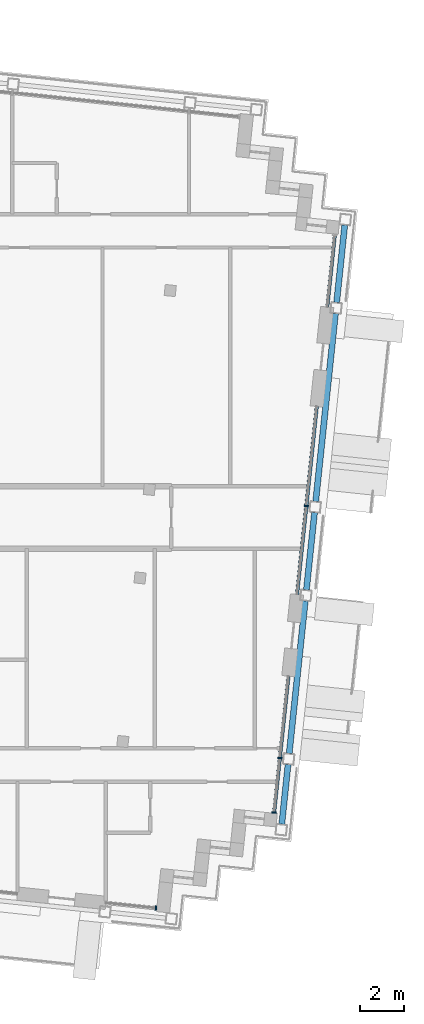
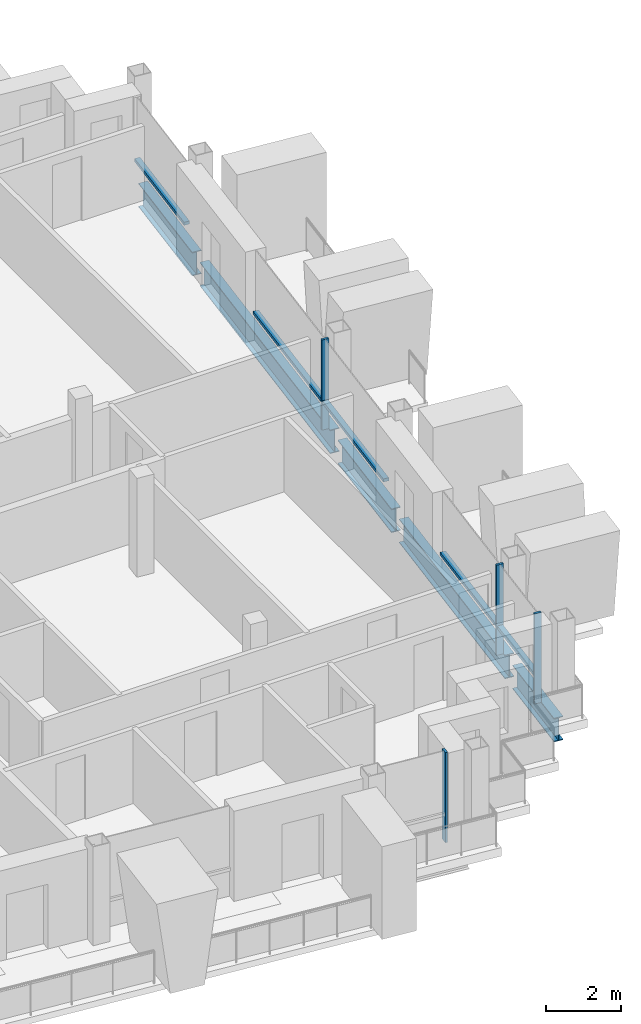
# One storey, part 4 of 17: 9 members, 5 beams, 4 elements without a shape of their own.
"""IFC4 building model written with IfcOpenShell, lengths in metres."""

import ifcopenshell
import ifcopenshell.guid

model = None  # the IFC model being written
_history = None  # IfcOwnerHistory: only IFC2X3 demands one
_inside = {}  # id of a spatial element -> (the spatial element, [elements in it])
_under = {}  # id of a project, library or spatial element -> (it, [spatial elements below it])
_declared = {}  # id of a project -> (the project, [libraries it declares])
_typed = {}  # id of a type object -> (the type object, [elements of that type])
_made_of = {}  # id of a material, layer set ... -> (it, [elements and type objects made of it])


def new_model(schema):
    """Start an empty IFC model of exactly this schema.

    Asked for "IFC4X3", IfcOpenShell would pick the latest addendum, in which some entities
    have other attributes; the version numbers below select the first issue.
    IFC2X3 requires an IfcOwnerHistory on every rooted entity: one is made here for all.
    """
    global model, _history
    if schema == "IFC4X3":
        model = ifcopenshell.file(schema_version=(4, 3, 0, 0))
    else:
        model = ifcopenshell.file(schema=schema)
    _inside.clear()
    _under.clear()
    _declared.clear()
    _typed.clear()
    _made_of.clear()
    _history = None
    if model.schema == "IFC2X3":
        org = make("IfcOrganization", Name="unknown")
        user = make(
            "IfcPersonAndOrganization",
            ThePerson=make("IfcPerson", FamilyName="unknown"),
            TheOrganization=org,
        )
        app = make(
            "IfcApplication",
            ApplicationDeveloper=org,
            Version="unknown",
            ApplicationFullName="unknown",
            ApplicationIdentifier="unknown",
        )
        _history = make(
            "IfcOwnerHistory",
            OwningUser=user,
            OwningApplication=app,
            ChangeAction="ADDED",
            CreationDate=0,
        )
    return model


def make(cls, **values):
    """One entity of the class cls with the attributes given. An attribute that is None is left unset."""
    return model.create_entity(
        cls, **{name: value for name, value in values.items() if value is not None}
    )


def rooted(cls, **values):
    """An entity with a GlobalId (a new one), such as an element, a storey or a relation."""
    return make(cls, GlobalId=ifcopenshell.guid.new(), OwnerHistory=_history, **values)


def si_unit(unit_type, name, prefix=None):
    """IfcSIUnit, for example si_unit("LENGTHUNIT", "METRE", prefix="MILLI")."""
    return make("IfcSIUnit", UnitType=unit_type, Prefix=prefix, Name=name)


def assignment(units):
    """IfcUnitAssignment: the units of a project."""
    return None if units is None else make("IfcUnitAssignment", Units=units)


def point(xyz):
    """IfcCartesianPoint."""
    return None if xyz is None else make("IfcCartesianPoint", Coordinates=xyz)


def direction(xyz):
    """IfcDirection."""
    return None if xyz is None else make("IfcDirection", DirectionRatios=xyz)


def frame(location, z_axis=None, x_axis=None):
    """IfcAxis2Placement3D, a coordinate frame: its origin and axes. An axis left out is left unset."""
    return make(
        "IfcAxis2Placement3D",
        Location=point(location),
        Axis=direction(z_axis),
        RefDirection=direction(x_axis),
    )


def frame_2d(location, x_axis=None):
    """IfcAxis2Placement2D, a coordinate frame in the plane: its origin and x axis."""
    return make(
        "IfcAxis2Placement2D", Location=point(location), RefDirection=direction(x_axis)
    )


def origin():
    """The frame at (0, 0, 0) with its axes left unset."""
    return frame((0.0, 0.0, 0.0))


def origin_2d():
    """The frame at (0, 0) in the plane with its x axis left unset."""
    return frame_2d((0.0, 0.0))


def place(relative_to, where):
    """IfcLocalPlacement: puts the frame where relative to a parent placement (None: the world)."""
    return make(
        "IfcLocalPlacement", PlacementRelTo=relative_to, RelativePlacement=where
    )


def context(
    kind, dimensions, precision=None, world=None, true_north=None, identifier=None
):
    """IfcGeometricRepresentationContext, for example the 3D "Model" context."""
    return make(
        "IfcGeometricRepresentationContext",
        ContextIdentifier=identifier,
        ContextType=kind,
        CoordinateSpaceDimension=dimensions,
        Precision=precision,
        WorldCoordinateSystem=world,
        TrueNorth=true_north,
    )


def subcontext(parent, identifier, kind, view, scale=None):
    """IfcGeometricRepresentationSubContext, for example "Body" below "Model"."""
    return make(
        "IfcGeometricRepresentationSubContext",
        ContextIdentifier=identifier,
        ContextType=kind,
        ParentContext=parent,
        TargetScale=scale,
        TargetView=view,
    )


def project(units=None, contexts=None):
    """IfcProject with its units and contexts."""
    return rooted(
        "IfcProject",
        Name="project",
        RepresentationContexts=contexts,
        UnitsInContext=assignment(units),
    )


def spatial(cls, under=None, at=None, **own):
    """A site, building, storey or space (cls), placed at a placement, below another one or the project."""
    s = rooted(cls, ObjectPlacement=at, **own)
    if under is not None:
        _under.setdefault(under.id(), (under, []))[1].append(s)
    return s


def profile(cls, at=None, kind="AREA", **sizes):
    """A parametric profile (cls). Its sizes go by their IFC names, for example OverallWidth=200.0."""
    return make(cls, ProfileType=kind, Position=at, **sizes)


def rectangle(**sizes):
    """IfcRectangleProfileDef."""
    return profile("IfcRectangleProfileDef", **sizes)


def i_section(**sizes):
    """IfcIShapeProfileDef."""
    return profile("IfcIShapeProfileDef", **sizes)


def extrude(swept, where, along, depth):
    """IfcExtrudedAreaSolid: the profile swept, set in the frame where, extruded along a direction by depth."""
    return make(
        "IfcExtrudedAreaSolid",
        SweptArea=swept,
        Position=where,
        ExtrudedDirection=direction(along),
        Depth=depth,
    )


def shape(context_of_items, identifier, shape_type, items):
    """IfcShapeRepresentation: the items that make up one representation, for example the "Body"."""
    return make(
        "IfcShapeRepresentation",
        ContextOfItems=context_of_items,
        RepresentationIdentifier=identifier,
        RepresentationType=shape_type,
        Items=items,
    )


def material(Name=None, Category=None):
    """IfcMaterial."""
    return make("IfcMaterial", Name=Name, Category=Category)


def material_profile(
    of_material, cross_section, Name=None, Category=None, Priority=None
):
    """IfcMaterialProfile: a cross section and its material."""
    return make(
        "IfcMaterialProfile",
        Name=Name,
        Material=of_material,
        Profile=cross_section,
        Priority=Priority,
        Category=Category,
    )


def profile_set(profiles, Name=None, composite=None):
    """IfcMaterialProfileSet."""
    return make(
        "IfcMaterialProfileSet",
        Name=Name,
        MaterialProfiles=profiles,
        CompositeProfile=composite,
    )


def made_of(thing, what):
    """Note that an element or type object is made of a material, layer set ...; save() writes the relation."""
    if what is not None:
        _made_of.setdefault(what.id(), (what, []))[1].append(thing)
    return thing


def type_object(cls, material=None, **own):
    """A type object (cls), such as IfcWallType, which elements share."""
    return made_of(rooted(cls, **own), material)


def element(
    cls,
    number,
    at=None,
    inside=None,
    cuts=None,
    type_object=None,
    material=None,
    context=None,
    identifier="Body",
    shape_type=None,
    held_by="IfcProductDefinitionShape",
    body=None,
    shapes=None,
    **own,
):
    """One element of the class cls, such as IfcWall. Its Tag is "e" and its number.

    at: its placement. inside: the storey or other place that contains it. cuts: it is an
    opening in that element (IfcRelVoidsElement). A single representation is given by context,
    identifier, shape_type and body (its items); several are given by shapes. held_by: the class
    of the entity that holds the representations. save() writes the other relations.
    """
    e = rooted(cls, Tag="e%d" % number, ObjectPlacement=at, **own)
    if body is not None:
        shapes = [shape(context, identifier, shape_type, body)]
    if shapes is not None:
        e.Representation = make(held_by, Representations=shapes)
    if inside is not None:
        _inside.setdefault(inside.id(), (inside, []))[1].append(e)
    if cuts is not None:
        rooted(
            "IfcRelVoidsElement", RelatingBuildingElement=cuts, RelatedOpeningElement=e
        )
    if type_object is not None:
        _typed.setdefault(type_object.id(), (type_object, []))[1].append(e)
    return made_of(e, material)


def aggregate(whole, parts):
    """IfcRelAggregates: a whole, such as a stair, and the parts it consists of."""
    return rooted("IfcRelAggregates", RelatingObject=whole, RelatedObjects=parts)


def save(model, path):
    """Write the relations noted so far, then the file.

    IfcRelAggregates (storeys below a building ...), IfcRelContainedInSpatialStructure (elements
    in a storey), IfcRelDefinesByType, IfcRelAssociatesMaterial and IfcRelDeclares: one each for
    every whole, place, type object, material and project.
    """
    for whole, parts in _under.values():
        aggregate(whole, parts)
    for where, things in _inside.values():
        rooted(
            "IfcRelContainedInSpatialStructure",
            RelatedElements=things,
            RelatingStructure=where,
        )
    for kind, things in _typed.values():
        rooted("IfcRelDefinesByType", RelatedObjects=things, RelatingType=kind)
    for what, things in _made_of.values():
        rooted("IfcRelAssociatesMaterial", RelatedObjects=things, RelatingMaterial=what)
    for by, libraries in _declared.values():
        rooted("IfcRelDeclares", RelatingContext=by, RelatedDefinitions=libraries)
    model.write(path)


model = new_model("IFC4")

# Units and contexts
model_context = context("Model", 3, precision=1e-05, world=origin(), true_north=direction((0.0, 1.0)))
body_context = subcontext(model_context, "Body", "Model", "MODEL_VIEW")
ifc_project = project(units=[si_unit("LENGTHUNIT", "METRE"), si_unit("AREAUNIT", "SQUARE_METRE"), si_unit("VOLUMEUNIT", "CUBIC_METRE"), si_unit("PLANEANGLEUNIT", "RADIAN"), si_unit("MASSUNIT", "GRAM", prefix="KILO")], contexts=[model_context])

# Site, building, storey
site_placement = place(None, origin())
site = spatial("IfcSite", under=ifc_project, at=site_placement, CompositionType="ELEMENT")
building_placement = place(site_placement, origin())
building = spatial("IfcBuilding", under=site, at=building_placement, Name="Vidyagriha Tower", CompositionType="ELEMENT")
storey_placement = place(building_placement, frame((0.0, 0.0, 269.10009765625)))
storey = spatial("IfcBuildingStorey", under=building, at=storey_placement, Name="L70", CompositionType="ELEMENT", Elevation=269.10009765625)

# Beams
ifc_material_1 = material(Name="Steel ASTM A992 Grade 50", Category="steel")
ifc_material_profile_1 = material_profile(ifc_material_1, i_section(OverallWidth=0.2666015625, OverallDepth=0.76953125, WebThickness=0.015625, FlangeThickness=0.025390625, at=origin_2d()), Name="W30X132")
ifc_profile_set_1 = profile_set([ifc_material_profile_1], Name="Steel ASTM A992 Grade 50")
beam_type = type_object("IfcBeamType", Name="Cantilever edge beam W30X132", PredefinedType="SPANDREL", material=ifc_profile_set_1)
beam_1_placement = place(storey_placement, frame((29.968017578125, -13.79736328125, -0.664794921875), z_axis=(0.104435320588, 0.994531680649, 0.0), x_axis=(-0.994531680649, 0.104435320588, 0.0)))
element("IfcBeam", 1, at=beam_1_placement, inside=storey, type_object=beam_type, Name="st-beam-L70-E13", PredefinedType="SPANDREL", context=body_context, shape_type="SweptSolid", body=[
    extrude(i_section(OverallWidth=0.2666015625, OverallDepth=0.76953125, WebThickness=0.015625, FlangeThickness=0.025390625, at=origin_2d()), origin(), (0.0, 0.0, 1.0), 2.699951171875),
])
beam_2_placement = place(storey_placement, frame((30.30224609375, -10.61474609375, -0.664794921875), z_axis=(0.104557694553, 0.994518822602, 0.0), x_axis=(-0.994518822602, 0.104557694553, 0.0)))
element("IfcBeam", 2, at=beam_2_placement, inside=storey, type_object=beam_type, Name="st-beam-L70-E14", PredefinedType="SPANDREL", context=body_context, shape_type="SweptSolid", body=[
    extrude(i_section(OverallWidth=0.2666015625, OverallDepth=0.76953125, WebThickness=0.015625, FlangeThickness=0.025390625, at=origin_2d()), origin(), (0.0, 0.0, 1.0), 6.89990234375),
])
beam_3_placement = place(storey_placement, frame((31.075927734375, -3.25537109375, -0.664794921875), z_axis=(0.104495960989, 0.994525310958, 0.0), x_axis=(-0.994525310958, 0.104495960989, 0.0)))
element("IfcBeam", 3, at=beam_3_placement, inside=storey, type_object=beam_type, Name="st-beam-L70-E15", PredefinedType="SPANDREL", context=body_context, shape_type="SweptSolid", body=[
    extrude(i_section(OverallWidth=0.2666015625, OverallDepth=0.76953125, WebThickness=0.015625, FlangeThickness=0.025390625, at=origin_2d()), origin(), (0.0, 0.0, 1.0), 3.499755859375),
])
beam_4_placement = place(storey_placement, frame((31.493896484375, 0.72265625, -0.664794921875), z_axis=(0.104550220202, 0.994519608382, 0.0), x_axis=(-0.994519608382, 0.104550220202, 0.0)))
element("IfcBeam", 4, at=beam_4_placement, inside=storey, type_object=beam_type, Name="st-beam-L70-E16", PredefinedType="SPANDREL", context=body_context, shape_type="SweptSolid", body=[
    extrude(i_section(OverallWidth=0.2666015625, OverallDepth=0.76953125, WebThickness=0.015625, FlangeThickness=0.025390625, at=origin_2d()), origin(), (0.0, 0.0, 1.0), 8.5),
])
beam_5_placement = place(storey_placement, frame((32.434814453125, 9.67333984375, -0.664794921875), z_axis=(0.104488712073, 0.994526072584, 0.0), x_axis=(-0.994526072584, 0.104488712073, 0.0)))
element("IfcBeam", 5, at=beam_5_placement, inside=storey, type_object=beam_type, Name="st-beam-L70-E17", PredefinedType="SPANDREL", context=body_context, shape_type="SweptSolid", body=[
    extrude(i_section(OverallWidth=0.2666015625, OverallDepth=0.76953125, WebThickness=0.015625, FlangeThickness=0.025390625, at=origin_2d()), origin(), (0.0, 0.0, 1.0), 3.5),
])

# Curtain wall, member
ifc_material_2 = material(Name="Aluminium and glass curtain wall", Category="aluminium")
curtain_wall_type = type_object("IfcCurtainWallType", Name="Dwelling skin unitised curtain wall", PredefinedType="USERDEFINED", material=ifc_material_2)
curtain_wall_1_placement = place(storey_placement, origin())
curtain_wall_1 = element("IfcCurtainWall", 6, at=curtain_wall_1_placement, inside=storey, type_object=curtain_wall_type, Name="CW1 dwelling skin", ObjectType="UNITISED", PredefinedType="USERDEFINED")
ifc_material_3 = material(Name="Aluminium black anodised", Category="aluminium")
ifc_material_profile_2 = material_profile(ifc_material_3, rectangle(XDim=0.199951171875, YDim=0.070068359375, at=origin_2d()), Name="Mullion 70x200 black aluminium")
ifc_profile_set_2 = profile_set([ifc_material_profile_2], Name="Aluminium black anodised")
member_type_1 = type_object("IfcMemberType", Name="Mullion 70x200 black aluminium", PredefinedType="MULLION", material=ifc_profile_set_2)
member_1_placement = place(storey_placement, frame((24.306884765625, -17.576171875, 0.0), z_axis=(0.0, 0.0, 1.0), x_axis=(0.10452182883, 0.994522592653, 0.0)))
member_1 = element("IfcMember", 7, at=member_1_placement, type_object=member_type_1, Name="CW1 mullion 2", PredefinedType="MULLION", context=body_context, shape_type="SweptSolid", body=[
    extrude(rectangle(XDim=0.199951171875, YDim=0.070068359375, at=origin_2d()), origin(), (0.0, 0.0, 1.0), 2.919921875),
])
aggregate(curtain_wall_1, [member_1])

# Curtain wall, members
curtain_wall_2_placement = place(storey_placement, origin())
curtain_wall_2 = element("IfcCurtainWall", 8, at=curtain_wall_2_placement, inside=storey, type_object=curtain_wall_type, Name="CW1 dwelling skin", ObjectType="UNITISED", PredefinedType="USERDEFINED")
member_2_placement = place(storey_placement, frame((29.620849609375, -13.273193359375, 0.0), z_axis=(0.0, 0.0, 1.0), x_axis=(-0.994521437861, 0.10453281607, 0.0)))
member_2 = element("IfcMember", 9, at=member_2_placement, type_object=member_type_1, Name="CW1 mullion 1", PredefinedType="MULLION", context=body_context, shape_type="SweptSolid", body=[
    extrude(rectangle(XDim=0.199951171875, YDim=0.070068359375, at=origin_2d()), origin(), (0.0, 0.0, 1.0), 2.919921875),
])
member_3_placement = place(storey_placement, frame((29.87841796875, -10.82177734375, 0.0), z_axis=(0.0, 0.0, 1.0), x_axis=(-0.994521437861, 0.10453281607, 0.0)))
member_3 = element("IfcMember", 10, at=member_3_placement, type_object=member_type_1, Name="CW1 mullion 2", PredefinedType="MULLION", context=body_context, shape_type="SweptSolid", body=[
    extrude(rectangle(XDim=0.199951171875, YDim=0.070068359375, at=origin_2d()), origin(), (0.0, 0.0, 1.0), 2.919921875),
])

# Curtain wall, member
curtain_wall_3_placement = place(storey_placement, origin())
curtain_wall_3 = element("IfcCurtainWall", 11, at=curtain_wall_3_placement, inside=storey, type_object=curtain_wall_type, Name="CW1 dwelling skin", ObjectType="UNITISED", PredefinedType="USERDEFINED")
member_4_placement = place(storey_placement, frame((31.070068359375, 0.515869140625, 0.0), z_axis=(0.0, 0.0, 1.0), x_axis=(-0.994521750347, 0.104529843047, 0.0)))
member_4 = element("IfcMember", 12, at=member_4_placement, type_object=member_type_1, Name="CW1 mullion 2", PredefinedType="MULLION", context=body_context, shape_type="SweptSolid", body=[
    extrude(rectangle(XDim=0.199951171875, YDim=0.070068359375, at=origin_2d()), origin(), (0.0, 0.0, 1.0), 2.919921875),
])

# Member
ifc_material_4 = material(Name="Aluminium black anodised", Category="aluminium")
ifc_material_profile_3 = material_profile(ifc_material_4, rectangle(XDim=0.159912109375, YDim=0.10009765625, at=origin_2d()), Name="Transom 100x160 black aluminium")
ifc_profile_set_3 = profile_set([ifc_material_profile_3], Name="Aluminium black anodised")
member_type_2 = type_object("IfcMemberType", Name="Transom 100x160 black aluminium", PredefinedType="USERDEFINED", material=ifc_profile_set_3)
member_5_placement = place(storey_placement, frame((29.62451171875, -13.23828125, 0.89990234375), z_axis=(0.104488443352, 0.994526100817, 0.0), x_axis=(-0.994526100817, 0.104488443352, 0.0)))
member_5 = element("IfcMember", 13, at=member_5_placement, type_object=member_type_2, Name="CW1 transom 1.1", ObjectType="TRANSOM", PredefinedType="USERDEFINED", context=body_context, shape_type="SweptSolid", body=[
    extrude(rectangle(XDim=0.159912109375, YDim=0.10009765625, at=origin_2d()), origin(), (0.0, 0.0, 1.0), 2.39501953125),
])

member_6_placement = place(storey_placement, frame((29.882080078125, -10.786865234375, 0.89990234375), z_axis=(0.104521800028, 0.99452259568, 0.0), x_axis=(-0.99452259568, 0.104521800028, 0.0)))
member_6 = element("IfcMember", 14, at=member_6_placement, type_object=member_type_2, Name="CW1 transom 2.1", ObjectType="TRANSOM", PredefinedType="USERDEFINED", context=body_context, shape_type="SweptSolid", body=[
    extrude(rectangle(XDim=0.159912109375, YDim=0.10009765625, at=origin_2d()), origin(), (0.0, 0.0, 1.0), 3.664794921875),
])

aggregate(curtain_wall_2, [member_2, member_3, member_5, member_6])

member_7_placement = place(storey_placement, frame((30.65185546875, -3.462158203125, 0.89990234375), z_axis=(0.104550167438, 0.994519613929, 0.0), x_axis=(-0.994519613929, 0.104550167438, 0.0)))
member_7 = element("IfcMember", 15, at=member_7_placement, type_object=member_type_2, Name="CW1 transom 1.1", ObjectType="TRANSOM", PredefinedType="USERDEFINED", context=body_context, shape_type="SweptSolid", body=[
    extrude(rectangle(XDim=0.159912109375, YDim=0.10009765625, at=origin_2d()), origin(), (0.0, 0.0, 1.0), 3.965087890625),
])

member_8_placement = place(storey_placement, frame((31.07373046875, 0.55078125, 0.89990234375), z_axis=(0.104494075643, 0.994525509052, 0.0), x_axis=(-0.994525509052, 0.104494075643, 0.0)))
member_8 = element("IfcMember", 16, at=member_8_placement, type_object=member_type_2, Name="CW1 transom 2.1", ObjectType="TRANSOM", PredefinedType="USERDEFINED", context=body_context, shape_type="SweptSolid", body=[
    extrude(rectangle(XDim=0.159912109375, YDim=0.10009765625, at=origin_2d()), origin(), (0.0, 0.0, 1.0), 4.46484375),
])

aggregate(curtain_wall_3, [member_4, member_7, member_8])

# Curtain wall, member
curtain_wall_4_placement = place(storey_placement, origin())
curtain_wall_4 = element("IfcCurtainWall", 17, at=curtain_wall_4_placement, inside=storey, type_object=curtain_wall_type, Name="CW1 dwelling skin", ObjectType="UNITISED", PredefinedType="USERDEFINED")
member_9_placement = place(storey_placement, frame((32.0107421875, 9.466552734375, 0.89990234375), z_axis=(0.104531339354, 0.994521593075, 0.0), x_axis=(-0.994521593075, 0.104531339354, 0.0)))
member_9 = element("IfcMember", 18, at=member_9_placement, type_object=member_type_2, Name="CW1 transom 1.1", ObjectType="TRANSOM", PredefinedType="USERDEFINED", context=body_context, shape_type="SweptSolid", body=[
    extrude(rectangle(XDim=0.159912109375, YDim=0.10009765625, at=origin_2d()), origin(), (0.0, 0.0, 1.0), 3.22998046875),
])
aggregate(curtain_wall_4, [member_9])

save(model, "model.ifc")
